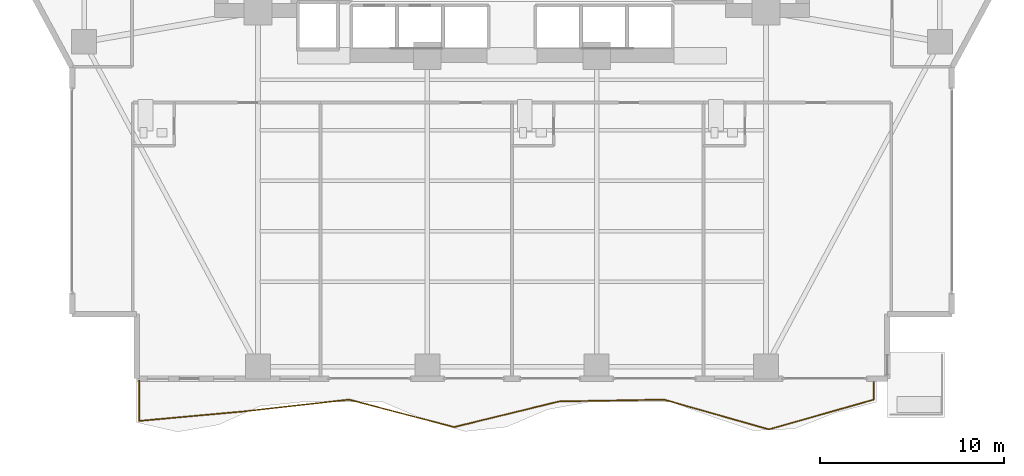
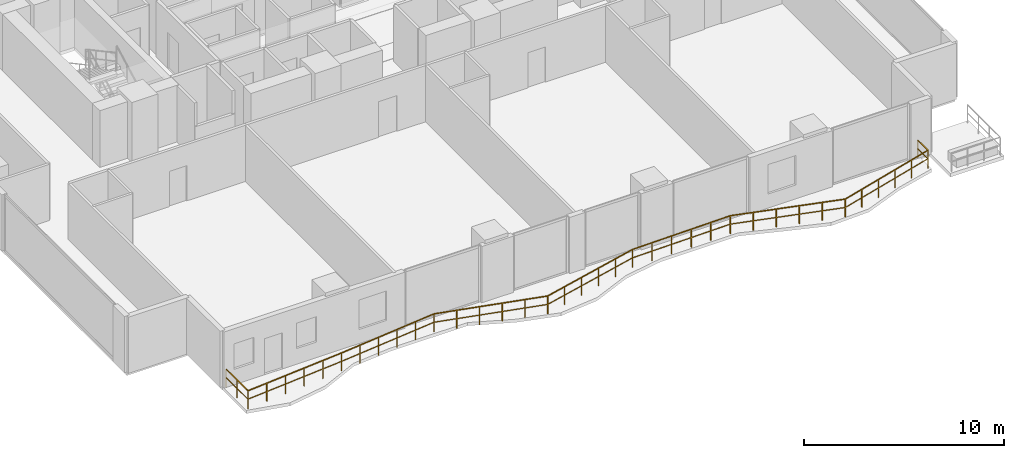
# One storey, part 25 of 29: 1 railing.
"""IFC4 building model written with IfcOpenShell, lengths in metres."""

from ifc_helpers import new_model, si_unit, direction, frame, origin, origin_2d, place, context, subcontext, project, spatial, rectangle, extrude, material, type_object, element, save


model = new_model("IFC4")

# Units and contexts
model_context = context("Model", 3, precision=1e-05, world=origin(), true_north=direction((0.0, 1.0)))
body_context = subcontext(model_context, "Body", "Model", "MODEL_VIEW")
ifc_project = project(units=[si_unit("LENGTHUNIT", "METRE"), si_unit("AREAUNIT", "SQUARE_METRE"), si_unit("VOLUMEUNIT", "CUBIC_METRE"), si_unit("PLANEANGLEUNIT", "RADIAN"), si_unit("MASSUNIT", "GRAM", prefix="KILO")], contexts=[model_context])

# Site, building, storey
site_placement = place(None, origin())
site = spatial("IfcSite", under=ifc_project, at=site_placement, CompositionType="ELEMENT")
building_placement = place(site_placement, origin())
building = spatial("IfcBuilding", under=site, at=building_placement, Name="Zuhayl Quay Hotel", CompositionType="ELEMENT")
storey_placement = place(building_placement, frame((0.0, 0.0, 132.14990234375)))
storey = spatial("IfcBuildingStorey", under=building, at=storey_placement, Name="L33", CompositionType="ELEMENT", Elevation=132.14990234375)

# Railing
ifc_material = material(Name="Anodised Aluminium and Laminated Glass", Category="aluminium")
railing_type = type_object("IfcRailingType", Name="RL_EXT_BAL_1100", PredefinedType="BALUSTRADE", material=ifc_material)
railing_placement = place(storey_placement, frame((-20.260009765625, -15.52001953125, 0.0)))
element("IfcRailing", 1, at=railing_placement, inside=storey, type_object=railing_type, Name="L33 Balcony and Terrace Guard GR_L33_BAL_S", PredefinedType="BALUSTRADE", context=body_context, shape_type="SweptSolid", body=[
    extrude(rectangle(XDim=0.048095703125, YDim=0.048095703125, at=origin_2d()), frame((0.0, 0.0, 1.09619140625), z_axis=(0.0, -1.0, 0.0), x_axis=(1.0, 0.0, 0.0)), (0.0, 0.0, 1.0), 2.17919921875),
    extrude(rectangle(XDim=0.0361328125, YDim=0.0361328125, at=origin_2d()), frame((0.0, 0.0, 0.58251953125), z_axis=(0.0, -1.0, 0.0), x_axis=(1.0, 0.0, 0.0)), (0.0, 0.0, 1.0), 2.17919921875),
    extrude(rectangle(XDim=0.048095703125, YDim=0.048095703125, at=origin_2d()), frame((0.0, -2.17919921875, 1.09619140625), z_axis=(0.995902985655, 0.090428110474, 0.0), x_axis=(-0.090428110474, 0.995902985655, 0.0)), (0.0, 0.0, 1.0), 5.726318359375),
    extrude(rectangle(XDim=0.0361328125, YDim=0.0361328125, at=origin_2d()), frame((0.0, -2.17919921875, 0.58251953125), z_axis=(0.995902985655, 0.090428110474, 0.0), x_axis=(-0.090428110474, 0.995902985655, 0.0)), (0.0, 0.0, 1.0), 5.726318359375),
    extrude(rectangle(XDim=0.048095703125, YDim=0.048095703125, at=origin_2d()), frame((5.702880859375, -1.661376953125, 1.09619140625), z_axis=(0.993735509913, 0.111757488957, 0.0), x_axis=(-0.111757488957, 0.993735509913, 0.0)), (0.0, 0.0, 1.0), 5.73876953125),
    extrude(rectangle(XDim=0.0361328125, YDim=0.0361328125, at=origin_2d()), frame((5.702880859375, -1.661376953125, 0.58251953125), z_axis=(0.993735509913, 0.111757488957, 0.0), x_axis=(-0.111757488957, 0.993735509913, 0.0)), (0.0, 0.0, 1.0), 5.73876953125),
    extrude(rectangle(XDim=0.048095703125, YDim=0.048095703125, at=origin_2d()), frame((11.40576171875, -1.02001953125, 1.09619140625), z_axis=(0.967340074706, -0.253482109563, 0.0), x_axis=(0.253482109563, 0.967340074706, 0.0)), (0.0, 0.0, 1.0), 5.8955078125),
    extrude(rectangle(XDim=0.0361328125, YDim=0.0361328125, at=origin_2d()), frame((11.40576171875, -1.02001953125, 0.58251953125), z_axis=(0.967340074706, -0.253482109563, 0.0), x_axis=(0.253482109563, 0.967340074706, 0.0)), (0.0, 0.0, 1.0), 5.8955078125),
    extrude(rectangle(XDim=0.048095703125, YDim=0.048095703125, at=origin_2d()), frame((17.108642578125, -2.514404296875, 1.09619140625), z_axis=(0.971437151151, 0.237296989789, 0.0), x_axis=(-0.237296989789, 0.971437151151, 0.0)), (0.0, 0.0, 1.0), 5.87060546875),
    extrude(rectangle(XDim=0.0361328125, YDim=0.0361328125, at=origin_2d()), frame((17.108642578125, -2.514404296875, 0.58251953125), z_axis=(0.971437151151, 0.237296989789, 0.0), x_axis=(-0.237296989789, 0.971437151151, 0.0)), (0.0, 0.0, 1.0), 5.87060546875),
    extrude(rectangle(XDim=0.048095703125, YDim=0.048095703125, at=origin_2d()), frame((22.8115234375, -1.121337890625, 1.09619140625), z_axis=(0.999842218925, 0.017763368331, 0.0), x_axis=(-0.017763368331, 0.999842218925, 0.0)), (0.0, 0.0, 1.0), 5.703857421875),
    extrude(rectangle(XDim=0.0361328125, YDim=0.0361328125, at=origin_2d()), frame((22.8115234375, -1.121337890625, 0.58251953125), z_axis=(0.999842218925, 0.017763368331, 0.0), x_axis=(-0.017763368331, 0.999842218925, 0.0)), (0.0, 0.0, 1.0), 5.703857421875),
    extrude(rectangle(XDim=0.048095703125, YDim=0.048095703125, at=origin_2d()), frame((28.514404296875, -1.02001953125, 1.09619140625), z_axis=(0.961943968501, -0.273246777592, 0.0), x_axis=(0.273246777592, 0.961943968501, 0.0)), (0.0, 0.0, 1.0), 5.92822265625),
    extrude(rectangle(XDim=0.0361328125, YDim=0.0361328125, at=origin_2d()), frame((28.514404296875, -1.02001953125, 0.58251953125), z_axis=(0.961943968501, -0.273246777592, 0.0), x_axis=(0.273246777592, 0.961943968501, 0.0)), (0.0, 0.0, 1.0), 5.92822265625),
    extrude(rectangle(XDim=0.048095703125, YDim=0.048095703125, at=origin_2d()), frame((34.217041015625, -2.639892578125, 1.09619140625), z_axis=(0.96194704317, 0.273235953227, 0.0), x_axis=(-0.273235953227, 0.96194704317, 0.0)), (0.0, 0.0, 1.0), 5.928466796875),
    extrude(rectangle(XDim=0.0361328125, YDim=0.0361328125, at=origin_2d()), frame((34.217041015625, -2.639892578125, 0.58251953125), z_axis=(0.96194704317, 0.273235953227, 0.0), x_axis=(-0.273235953227, 0.96194704317, 0.0)), (0.0, 0.0, 1.0), 5.928466796875),
    extrude(rectangle(XDim=0.048095703125, YDim=0.048095703125, at=origin_2d()), frame((39.919921875, -1.02001953125, 1.09619140625), z_axis=(0.0, 1.0, 0.0), x_axis=(-1.0, 0.0, 0.0)), (0.0, 0.0, 1.0), 1.02001953125),
    extrude(rectangle(XDim=0.0361328125, YDim=0.0361328125, at=origin_2d()), frame((39.919921875, -1.02001953125, 0.58251953125), z_axis=(0.0, 1.0, 0.0), x_axis=(-1.0, 0.0, 0.0)), (0.0, 0.0, 1.0), 1.02001953125),
    extrude(rectangle(XDim=0.0419921875, YDim=0.0419921875, at=origin_2d()), origin(), (0.0, 0.0, 1.0), 1.072021484375),
    extrude(rectangle(XDim=0.0419921875, YDim=0.0419921875, at=origin_2d()), frame((0.0, -1.089599609375, 0.0)), (0.0, 0.0, 1.0), 1.072021484375),
    extrude(rectangle(XDim=0.0419921875, YDim=0.0419921875, at=origin_2d()), frame((0.0, -2.17919921875, 0.0)), (0.0, 0.0, 1.0), 1.072021484375),
    extrude(rectangle(XDim=0.0419921875, YDim=0.0419921875, at=origin_2d()), frame((1.140625, -2.07568359375, 0.0)), (0.0, 0.0, 1.0), 1.072021484375),
    extrude(rectangle(XDim=0.0419921875, YDim=0.0419921875, at=origin_2d()), frame((2.28125, -1.97216796875, 0.0)), (0.0, 0.0, 1.0), 1.072021484375),
    extrude(rectangle(XDim=0.0419921875, YDim=0.0419921875, at=origin_2d()), frame((3.421630859375, -1.868408203125, 0.0)), (0.0, 0.0, 1.0), 1.072021484375),
    extrude(rectangle(XDim=0.0419921875, YDim=0.0419921875, at=origin_2d()), frame((4.562255859375, -1.764892578125, 0.0)), (0.0, 0.0, 1.0), 1.072021484375),
    extrude(rectangle(XDim=0.0419921875, YDim=0.0419921875, at=origin_2d()), frame((5.702880859375, -1.661376953125, 0.0)), (0.0, 0.0, 1.0), 1.072021484375),
    extrude(rectangle(XDim=0.0419921875, YDim=0.0419921875, at=origin_2d()), frame((6.843505859375, -1.533203125, 0.0)), (0.0, 0.0, 1.0), 1.072021484375),
    extrude(rectangle(XDim=0.0419921875, YDim=0.0419921875, at=origin_2d()), frame((7.984130859375, -1.40478515625, 0.0)), (0.0, 0.0, 1.0), 1.072021484375),
    extrude(rectangle(XDim=0.0419921875, YDim=0.0419921875, at=origin_2d()), frame((9.12451171875, -1.276611328125, 0.0)), (0.0, 0.0, 1.0), 1.072021484375),
    extrude(rectangle(XDim=0.0419921875, YDim=0.0419921875, at=origin_2d()), frame((10.26513671875, -1.148193359375, 0.0)), (0.0, 0.0, 1.0), 1.072021484375),
    extrude(rectangle(XDim=0.0419921875, YDim=0.0419921875, at=origin_2d()), frame((11.40576171875, -1.02001953125, 0.0)), (0.0, 0.0, 1.0), 1.072021484375),
    extrude(rectangle(XDim=0.0419921875, YDim=0.0419921875, at=origin_2d()), frame((12.54638671875, -1.31884765625, 0.0)), (0.0, 0.0, 1.0), 1.072021484375),
    extrude(rectangle(XDim=0.0419921875, YDim=0.0419921875, at=origin_2d()), frame((13.68701171875, -1.61767578125, 0.0)), (0.0, 0.0, 1.0), 1.072021484375),
    extrude(rectangle(XDim=0.0419921875, YDim=0.0419921875, at=origin_2d()), frame((14.827392578125, -1.916748046875, 0.0)), (0.0, 0.0, 1.0), 1.072021484375),
    extrude(rectangle(XDim=0.0419921875, YDim=0.0419921875, at=origin_2d()), frame((15.968017578125, -2.215576171875, 0.0)), (0.0, 0.0, 1.0), 1.072021484375),
    extrude(rectangle(XDim=0.0419921875, YDim=0.0419921875, at=origin_2d()), frame((17.108642578125, -2.514404296875, 0.0)), (0.0, 0.0, 1.0), 1.072021484375),
    extrude(rectangle(XDim=0.0419921875, YDim=0.0419921875, at=origin_2d()), frame((18.249267578125, -2.23583984375, 0.0)), (0.0, 0.0, 1.0), 1.072021484375),
    extrude(rectangle(XDim=0.0419921875, YDim=0.0419921875, at=origin_2d()), frame((19.389892578125, -1.957275390625, 0.0)), (0.0, 0.0, 1.0), 1.072021484375),
    extrude(rectangle(XDim=0.0419921875, YDim=0.0419921875, at=origin_2d()), frame((20.5302734375, -1.678466796875, 0.0)), (0.0, 0.0, 1.0), 1.072021484375),
    extrude(rectangle(XDim=0.0419921875, YDim=0.0419921875, at=origin_2d()), frame((21.6708984375, -1.39990234375, 0.0)), (0.0, 0.0, 1.0), 1.072021484375),
    extrude(rectangle(XDim=0.0419921875, YDim=0.0419921875, at=origin_2d()), frame((22.8115234375, -1.121337890625, 0.0)), (0.0, 0.0, 1.0), 1.072021484375),
    extrude(rectangle(XDim=0.0419921875, YDim=0.0419921875, at=origin_2d()), frame((23.9521484375, -1.10107421875, 0.0)), (0.0, 0.0, 1.0), 1.072021484375),
    extrude(rectangle(XDim=0.0419921875, YDim=0.0419921875, at=origin_2d()), frame((25.0927734375, -1.080810546875, 0.0)), (0.0, 0.0, 1.0), 1.072021484375),
    extrude(rectangle(XDim=0.0419921875, YDim=0.0419921875, at=origin_2d()), frame((26.233154296875, -1.060546875, 0.0)), (0.0, 0.0, 1.0), 1.072021484375),
    extrude(rectangle(XDim=0.0419921875, YDim=0.0419921875, at=origin_2d()), frame((27.373779296875, -1.040283203125, 0.0)), (0.0, 0.0, 1.0), 1.072021484375),
    extrude(rectangle(XDim=0.0419921875, YDim=0.0419921875, at=origin_2d()), frame((28.514404296875, -1.02001953125, 0.0)), (0.0, 0.0, 1.0), 1.072021484375),
    extrude(rectangle(XDim=0.0419921875, YDim=0.0419921875, at=origin_2d()), frame((29.655029296875, -1.343994140625, 0.0)), (0.0, 0.0, 1.0), 1.072021484375),
    extrude(rectangle(XDim=0.0419921875, YDim=0.0419921875, at=origin_2d()), frame((30.79541015625, -1.66796875, 0.0)), (0.0, 0.0, 1.0), 1.072021484375),
    extrude(rectangle(XDim=0.0419921875, YDim=0.0419921875, at=origin_2d()), frame((31.93603515625, -1.991943359375, 0.0)), (0.0, 0.0, 1.0), 1.072021484375),
    extrude(rectangle(XDim=0.0419921875, YDim=0.0419921875, at=origin_2d()), frame((33.076416015625, -2.31591796875, 0.0)), (0.0, 0.0, 1.0), 1.072021484375),
    extrude(rectangle(XDim=0.0419921875, YDim=0.0419921875, at=origin_2d()), frame((34.217041015625, -2.639892578125, 0.0)), (0.0, 0.0, 1.0), 1.072021484375),
    extrude(rectangle(XDim=0.0419921875, YDim=0.0419921875, at=origin_2d()), frame((35.357666015625, -2.31591796875, 0.0)), (0.0, 0.0, 1.0), 1.072021484375),
    extrude(rectangle(XDim=0.0419921875, YDim=0.0419921875, at=origin_2d()), frame((36.498291015625, -1.991943359375, 0.0)), (0.0, 0.0, 1.0), 1.072021484375),
    extrude(rectangle(XDim=0.0419921875, YDim=0.0419921875, at=origin_2d()), frame((37.638671875, -1.66796875, 0.0)), (0.0, 0.0, 1.0), 1.072021484375),
    extrude(rectangle(XDim=0.0419921875, YDim=0.0419921875, at=origin_2d()), frame((38.779296875, -1.343994140625, 0.0)), (0.0, 0.0, 1.0), 1.072021484375),
    extrude(rectangle(XDim=0.0419921875, YDim=0.0419921875, at=origin_2d()), frame((39.919921875, -1.02001953125, 0.0)), (0.0, 0.0, 1.0), 1.072021484375),
    extrude(rectangle(XDim=0.0419921875, YDim=0.0419921875, at=origin_2d()), frame((39.919921875, 0.0, 0.0)), (0.0, 0.0, 1.0), 1.072021484375),
])

save(model, "model.ifc")
